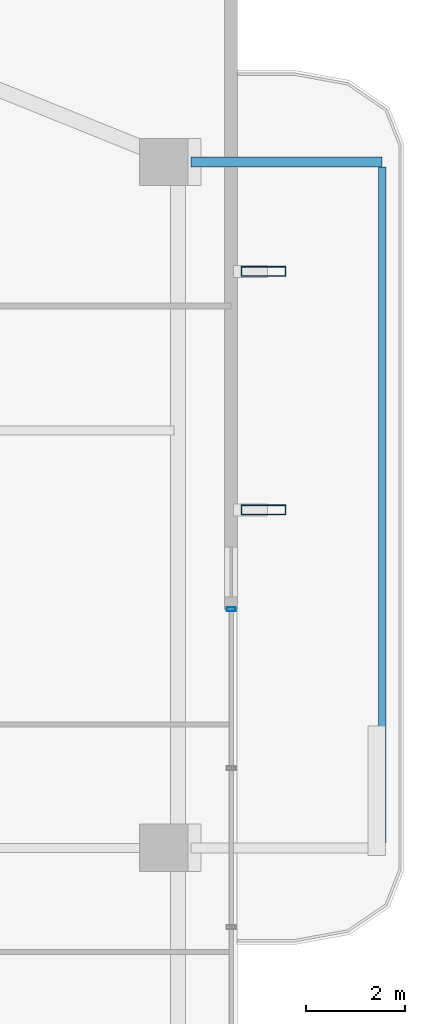
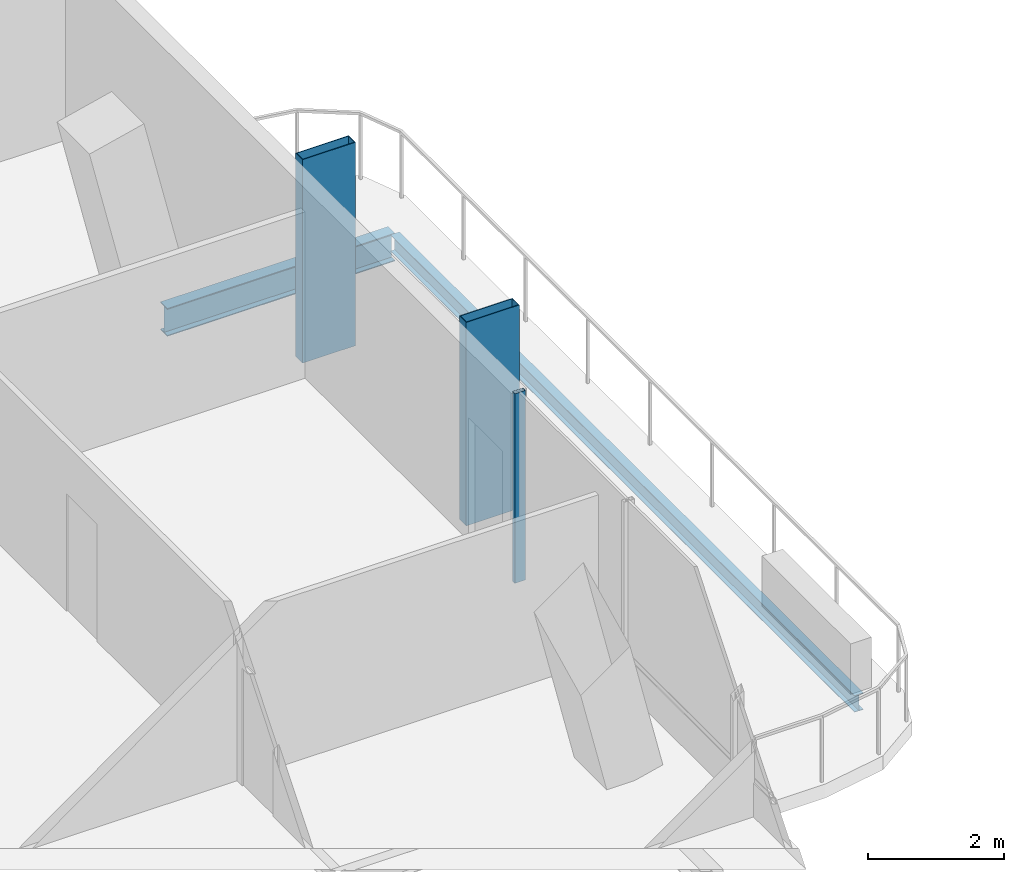
# One storey, part 15 of 25: 3 members, 2 beams, 1 element without a shape of its own.
"""IFC4 building model written with IfcOpenShell, lengths in metres."""

from ifc_helpers import new_model, si_unit, direction, frame, origin, origin_2d, place, context, subcontext, project, spatial, hollow_rectangle, i_section, extrude, material, layer, layer_set, material_profile, profile_set, type_object, element, aggregate, save


model = new_model("IFC4")

# Units and contexts
model_context = context("Model", 3, precision=1e-05, world=origin(), true_north=direction((0.0, 1.0)))
body_context = subcontext(model_context, "Body", "Model", "MODEL_VIEW")
ifc_project = project(units=[si_unit("LENGTHUNIT", "METRE"), si_unit("AREAUNIT", "SQUARE_METRE"), si_unit("VOLUMEUNIT", "CUBIC_METRE"), si_unit("PLANEANGLEUNIT", "RADIAN"), si_unit("MASSUNIT", "GRAM", prefix="KILO")], contexts=[model_context])

# Site, building, storey
site_placement = place(None, origin())
site = spatial("IfcSite", under=ifc_project, at=site_placement, CompositionType="ELEMENT")
building_placement = place(site_placement, origin())
building = spatial("IfcBuilding", under=site, at=building_placement, Name="Belovzor Exchange Tower", CompositionType="ELEMENT")
storey_placement = place(building_placement, frame((0.0, 0.0, 280.35009765625)))
storey = spatial("IfcBuildingStorey", under=building, at=storey_placement, Name="L70", CompositionType="ELEMENT", Elevation=280.35009765625)

# Beams
ifc_material_1 = material(Name="Steel S355", Category="steel")
ifc_material_profile_1 = material_profile(ifc_material_1, i_section(OverallWidth=0.199951171875, OverallDepth=0.5, WebThickness=0.01025390625, FlangeThickness=0.01611328125, at=origin_2d()))
ifc_profile_set_1 = profile_set([ifc_material_profile_1], Name="Steel S355")
beam_type_1 = type_object("IfcBeamType", Name="Planted Balcony Cantilever Beam IPE 500", PredefinedType="BEAM", material=ifc_profile_set_1)
beam_1_placement = place(storey_placement, frame((52.760986328125, 42.60009765625, -0.5), z_axis=(1.0, 0.0, 0.0), x_axis=(0.0, 1.0, 0.0)))
element("IfcBeam", 1, at=beam_1_placement, inside=storey, type_object=beam_type_1, Name="BC-500 Planted Balcony Cantilever Beam IPE 500", PredefinedType="BEAM", context=body_context, shape_type="SweptSolid", body=[
    extrude(i_section(OverallWidth=0.199951171875, OverallDepth=0.5, WebThickness=0.01025390625, FlangeThickness=0.01611328125, at=origin_2d()), origin(), (0.0, 0.0, 1.0), 3.85009765625),
])
ifc_material_2 = material(Name="Steel S355", Category="steel")
ifc_material_profile_2 = material_profile(ifc_material_2, i_section(OverallWidth=0.14990234375, OverallDepth=0.300048828125, WebThickness=0.007080078125, FlangeThickness=0.0107421875, at=origin_2d()))
ifc_profile_set_2 = profile_set([ifc_material_profile_2], Name="Steel S355")
beam_type_2 = type_object("IfcBeamType", Name="Planted Balcony Fascia Edge Beam IPE 300", PredefinedType="BEAM", material=ifc_profile_set_2)
beam_2_placement = place(storey_placement, frame((56.611083984375, 28.89990234375, -0.400146484375), z_axis=(0.0, 1.0, 0.0), x_axis=(-1.0, 0.0, 0.0)))
element("IfcBeam", 2, at=beam_2_placement, inside=storey, type_object=beam_type_2, Name="BC-300 Planted Balcony Fascia Edge Beam IPE 300", PredefinedType="BEAM", context=body_context, shape_type="SweptSolid", body=[
    extrude(i_section(OverallWidth=0.14990234375, OverallDepth=0.300048828125, WebThickness=0.007080078125, FlangeThickness=0.0107421875, at=origin_2d()), origin(), (0.0, 0.0, 1.0), 13.60009765625),
])

# Members
ifc_material_3 = material(Name="Extruded Architectural Terracotta on Steel S355 Carrier", Category="masonry")
ifc_material_profile_3 = material_profile(ifc_material_3, hollow_rectangle(XDim=0.199951171875, YDim=0.89990234375, WallThickness=0.011962890625, at=origin_2d()))
ifc_profile_set_3 = profile_set([ifc_material_profile_3], Name="Extruded Architectural Terracotta on Steel S355 Carrier")
member_type_1 = type_object("IfcMemberType", Name="Sweeping Terracotta Baguette Fin Assembly 950", PredefinedType="USERDEFINED", material=ifc_profile_set_3)
for number, where, z_axis, x_axis, name in (
    (3, (54.22509765625, 35.60009765625, -0.25), (0.0, 0.0, 1.0), (0.0, 1.0, 0.0), "FIN-TC095 Terracotta Facade Fin L70 E3"),
    (4, (54.22509765625, 40.39990234375, -0.25), (0.0, 0.0, 1.0), (0.0, 1.0, 0.0), "FIN-TC095 Terracotta Facade Fin L70 E4"),
):
    element("IfcMember", number, at=place(storey_placement, frame(where, z_axis=z_axis, x_axis=x_axis)), inside=storey, type_object=member_type_1, Name=name, ObjectType="FIN", PredefinedType="USERDEFINED", context=body_context, shape_type="SweptSolid", body=[
        extrude(hollow_rectangle(XDim=0.199951171875, YDim=0.89990234375, WallThickness=0.011962890625, at=origin_2d()), origin(), (0.0, 0.0, 1.0), 3.639892578125),
    ])

# Curtain wall, member
ifc_material_4 = material(Name="Anodised Aluminium Framing", Category="aluminium")
ifc_layer = layer(ifc_material_4, 0.179931640625)
ifc_layer_set = layer_set([ifc_layer], Name="Anodised Aluminium Framing")
curtain_wall_type = type_object("IfcCurtainWallType", Name="Recessed Loggia Low-Iron Triple-Glazed Curtain Wall", PredefinedType="NOTDEFINED", material=ifc_layer_set)
curtain_wall_placement = place(storey_placement, origin())
curtain_wall = element("IfcCurtainWall", 5, at=curtain_wall_placement, inside=storey, type_object=curtain_wall_type, Name="CW3 Recessed Loggia Low-Iron Triple-Glazed Curtain Wall L70", PredefinedType="NOTDEFINED")
ifc_material_5 = material(Name="Steel S355", Category="steel")
ifc_material_profile_4 = material_profile(ifc_material_5, hollow_rectangle(XDim=0.074951171875, YDim=0.179931640625, WallThickness=0.0048828125, at=origin_2d()))
ifc_profile_set_4 = profile_set([ifc_material_profile_4], Name="Steel S355")
member_type_2 = type_object("IfcMemberType", Name="Thermally Broken Curtain Wall Mullion 180x75", PredefinedType="MULLION", material=ifc_profile_set_4)
member_placement = place(storey_placement, frame((53.570068359375, 33.60009765625, 0.0), z_axis=(0.0, 0.0, 1.0), x_axis=(0.0, -1.0, 0.0)))
member = element("IfcMember", 6, at=member_placement, type_object=member_type_2, Name="CW-M180 Curtain Wall Mullion 1", PredefinedType="MULLION", context=body_context, shape_type="SweptSolid", body=[
    extrude(hollow_rectangle(XDim=0.074951171875, YDim=0.179931640625, WallThickness=0.0048828125, at=origin_2d()), origin(), (0.0, 0.0, 1.0), 3.389892578125),
])
aggregate(curtain_wall, [member])

save(model, "model.ifc")
